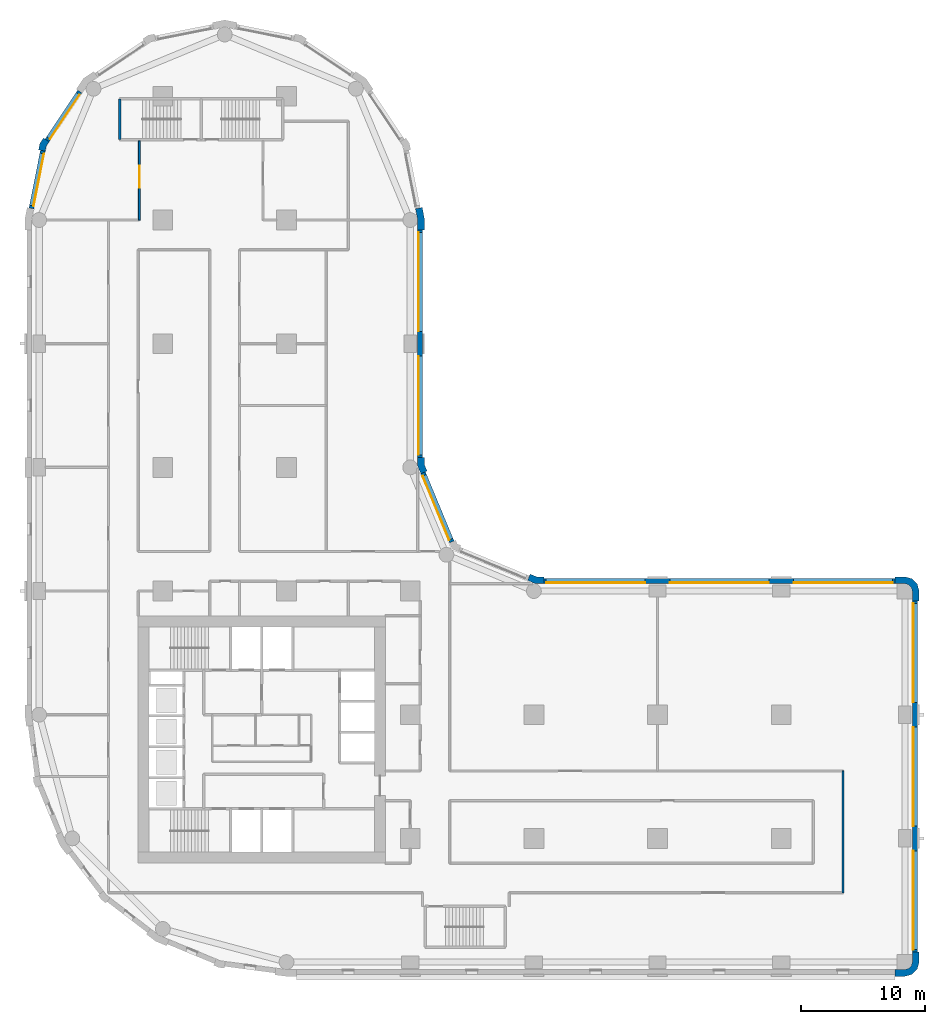
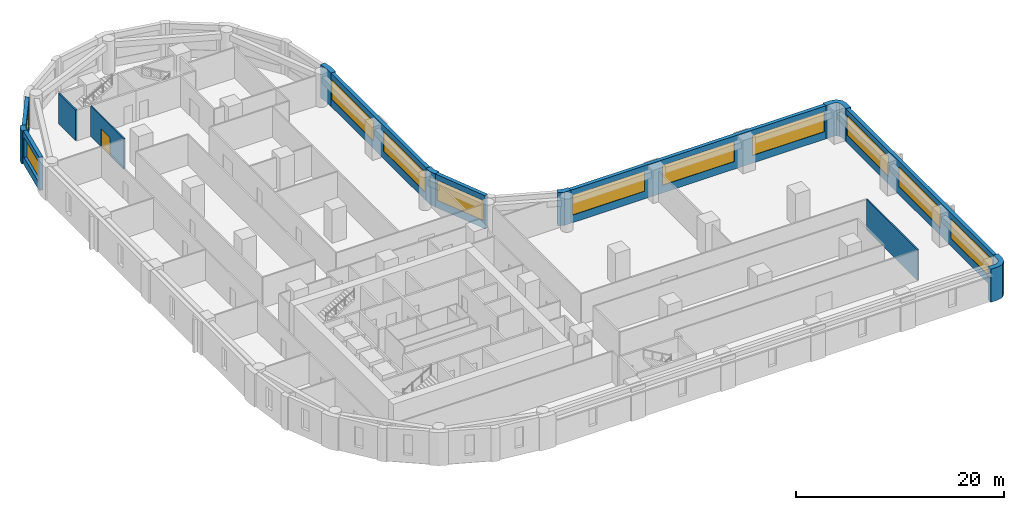
# One storey, part 6 of 10: 15 walls, 11 windows, 1 door, 12 openings.
"""IFC4 building model written with IfcOpenShell, lengths in metres."""

from ifc_helpers import new_model, si_unit, direction, frame, frame_2d, origin, place, context, subcontext, project, spatial, polyline, rectangle, outline, extrude, material, layer, layer_set, type_object, element, fill, save


model = new_model("IFC4")

# Units and contexts
model_context = context("Model", 3, precision=1e-05, world=origin(), true_north=direction((0.0, 1.0)))
body_context = subcontext(model_context, "Body", "Model", "MODEL_VIEW")
ifc_project = project(units=[si_unit("LENGTHUNIT", "METRE"), si_unit("AREAUNIT", "SQUARE_METRE"), si_unit("VOLUMEUNIT", "CUBIC_METRE"), si_unit("PLANEANGLEUNIT", "RADIAN"), si_unit("MASSUNIT", "GRAM", prefix="KILO")], contexts=[model_context])

# Site, building, storey
site_placement = place(None, origin())
site = spatial("IfcSite", under=ifc_project, at=site_placement, CompositionType="ELEMENT")
building_placement = place(site_placement, origin())
building = spatial("IfcBuilding", under=site, at=building_placement, Name="Qaws Garden Tower", CompositionType="ELEMENT")
storey_placement = place(building_placement, frame((0.0, 0.0, 66.60009765625)))
storey = spatial("IfcBuildingStorey", under=building, at=storey_placement, Name="L16", CompositionType="ELEMENT", Elevation=66.60009765625)

# Walls
ifc_material_1 = material(Name="Clay facing brick masonry", Category="masonry")
ifc_layer_1 = layer(ifc_material_1, 0.550048828125)
ifc_layer_set_1 = layer_set([ifc_layer_1], Name="Clay facing brick masonry")
wall_type_1 = type_object("IfcWallType", Name="Brick corner pier 550 x 2400", PredefinedType="SOLIDWALL", material=ifc_layer_set_1)
placement = place(storey_placement, origin())
element("IfcWall", 1, at=placement, inside=storey, type_object=wall_type_1, Name="E-L16-pier-05", PredefinedType="SOLIDWALL", context=body_context, shape_type="SweptSolid", body=[
    extrude(outline(polyline([(69.199951171875, -1.0), (69.199951171875, -1.14990234375), (70.0, -1.14990234375), (70.574951171875, -0.995849609375), (70.995849609375, -0.574951171875), (71.14990234375, 0.0), (71.14990234375, 0.800048828125), (71.0, 0.800048828125), (70.60009765625, 0.800048828125), (70.60009765625, 0.0), (70.51953125, -0.300048828125), (70.300048828125, -0.51953125), (70.0, -0.60009765625), (69.199951171875, -0.60009765625), (69.199951171875, -1.0)])), origin(), (0.0, 0.0, 1.0), 3.89990234375),
])
element("IfcWall", 2, at=placement, inside=storey, type_object=wall_type_1, Name="E-L16-pier-08", PredefinedType="SOLIDWALL", context=body_context, shape_type="SweptSolid", body=[
    extrude(outline(polyline([(71.0, 29.199951171875), (71.14990234375, 29.199951171875), (71.14990234375, 30.0), (70.995849609375, 30.574951171875), (70.574951171875, 30.995849609375), (70.0, 31.14990234375), (69.199951171875, 31.14990234375), (69.199951171875, 31.0), (69.199951171875, 30.60009765625), (70.0, 30.60009765625), (70.300048828125, 30.51953125), (70.51953125, 30.300048828125), (70.60009765625, 30.0), (70.60009765625, 29.199951171875), (71.0, 29.199951171875)])), origin(), (0.0, 0.0, 1.0), 3.89990234375),
])

# Wall, openings, windows
ifc_material_2 = material(Name="Clay facing brick masonry", Category="masonry")
ifc_layer_2 = layer(ifc_material_2, 0.39990234375)
ifc_layer_set_2 = layer_set([ifc_layer_2], Name="Clay facing brick masonry")
wall_type_2 = type_object("IfcWallType", Name="Brick infill wall 400", PredefinedType="SOLIDWALL", material=ifc_layer_set_2)
wall_3_placement = place(storey_placement, frame((70.800048828125, 0.800048828125, 0.0), z_axis=(0.0, 0.0, 1.0), x_axis=(0.0, 1.0, 0.0)))
wall_3 = element("IfcWall", 3, at=wall_3_placement, inside=storey, type_object=wall_type_2, Name="E-L16-infill-05", PredefinedType="SOLIDWALL", context=body_context, shape_type="SweptSolid", body=[
    extrude(rectangle(XDim=28.39990234375, YDim=0.39990234375, at=frame_2d((14.199951171875, 0.0))), origin(), (0.0, 0.0, 1.0), 3.89990234375),
])
opening_1_placement = place(wall_3_placement, frame((0.199951171875, 0.0, 0.89990234375)))
opening_1 = element("IfcOpeningElement", 4, at=opening_1_placement, cuts=wall_3, Name="Opening W01", PredefinedType="OPENING", context=body_context, shape_type="SweptSolid", body=[
    extrude(rectangle(XDim=8.0, YDim=2.35009765625, at=frame_2d((4.0, 1.175048828125))), frame((0.0, 0.2099609375, 0.0), z_axis=(0.0, -1.0, 0.0), x_axis=(1.0, 0.0, 0.0)), (0.0, 0.0, 1.0), 0.419921875),
])
opening_2_placement = place(wall_3_placement, frame((10.199951171875, 0.0, 0.89990234375)))
opening_2 = element("IfcOpeningElement", 5, at=opening_2_placement, cuts=wall_3, Name="Opening W01", PredefinedType="OPENING", context=body_context, shape_type="SweptSolid", body=[
    extrude(rectangle(XDim=8.0, YDim=2.35009765625, at=frame_2d((4.0, 1.175048828125))), frame((0.0, 0.2099609375, 0.0), z_axis=(0.0, -1.0, 0.0), x_axis=(1.0, 0.0, 0.0)), (0.0, 0.0, 1.0), 0.419921875),
])
opening_3_placement = place(wall_3_placement, frame((20.199951171875, 0.0, 0.89990234375)))
opening_3 = element("IfcOpeningElement", 6, at=opening_3_placement, cuts=wall_3, Name="Opening W01", PredefinedType="OPENING", context=body_context, shape_type="SweptSolid", body=[
    extrude(rectangle(XDim=8.0, YDim=2.35009765625, at=frame_2d((4.0, 1.175048828125))), frame((0.0, 0.2099609375, 0.0), z_axis=(0.0, -1.0, 0.0), x_axis=(1.0, 0.0, 0.0)), (0.0, 0.0, 1.0), 0.419921875),
])
ifc_material_3 = material(Name="Aluminium framed window, clear glazing", Category="aluminium")
window_type_1 = type_object("IfcWindowType", Name="Ribbon window 8000 x 2350", PartitioningType="DOUBLE_PANEL_VERTICAL", PredefinedType="WINDOW", material=ifc_material_3)
window_1_placement = place(opening_1_placement, origin())
window_1 = element("IfcWindow", 7, at=window_1_placement, inside=storey, type_object=window_type_1, Name="E-L16-window-05-0", OverallHeight=2.35009765625, OverallWidth=8.0, PartitioningType="SINGLE_PANEL", PredefinedType="WINDOW", context=body_context, shape_type="SweptSolid", body=[
    extrude(rectangle(XDim=8.0, YDim=2.35009765625, at=frame_2d((4.0, 1.175048828125))), frame((0.0, 0.159912109375, 0.0), z_axis=(0.0, -1.0, 0.0), x_axis=(1.0, 0.0, 0.0)), (0.0, 0.0, 1.0), 0.06005859375),
])
fill(opening_1, window_1)
window_2_placement = place(opening_2_placement, origin())
window_2 = element("IfcWindow", 8, at=window_2_placement, inside=storey, type_object=window_type_1, Name="E-L16-window-06-0", OverallHeight=2.35009765625, OverallWidth=8.0, PartitioningType="SINGLE_PANEL", PredefinedType="WINDOW", context=body_context, shape_type="SweptSolid", body=[
    extrude(rectangle(XDim=8.0, YDim=2.35009765625, at=frame_2d((4.0, 1.175048828125))), frame((0.0, 0.159912109375, 0.0), z_axis=(0.0, -1.0, 0.0), x_axis=(1.0, 0.0, 0.0)), (0.0, 0.0, 1.0), 0.06005859375),
])
fill(opening_2, window_2)
window_3_placement = place(opening_3_placement, origin())
window_3 = element("IfcWindow", 9, at=window_3_placement, inside=storey, type_object=window_type_1, Name="E-L16-window-07-0", OverallHeight=2.35009765625, OverallWidth=8.0, PartitioningType="SINGLE_PANEL", PredefinedType="WINDOW", context=body_context, shape_type="SweptSolid", body=[
    extrude(rectangle(XDim=8.0, YDim=2.35009765625, at=frame_2d((4.0, 1.175048828125))), frame((0.0, 0.159912109375, 0.0), z_axis=(0.0, -1.0, 0.0), x_axis=(1.0, 0.0, 0.0)), (0.0, 0.0, 1.0), 0.06005859375),
])
fill(opening_3, window_3)

wall_4_placement = place(storey_placement, frame((69.199951171875, 30.800048828125, 0.0), z_axis=(0.0, 0.0, 1.0), x_axis=(-1.0, 0.0, 0.0)))
wall_4 = element("IfcWall", 10, at=wall_4_placement, inside=storey, type_object=wall_type_2, Name="E-L16-infill-08", PredefinedType="SOLIDWALL", context=body_context, shape_type="SweptSolid", body=[
    extrude(rectangle(XDim=28.39990234375, YDim=0.39990234375, at=frame_2d((14.199951171875, 0.0))), origin(), (0.0, 0.0, 1.0), 3.89990234375),
])
opening_4_placement = place(wall_4_placement, frame((0.199951171875, 0.0, 0.89990234375)))
opening_4 = element("IfcOpeningElement", 11, at=opening_4_placement, cuts=wall_4, Name="Opening W01", PredefinedType="OPENING", context=body_context, shape_type="SweptSolid", body=[
    extrude(rectangle(XDim=8.0, YDim=2.35009765625, at=frame_2d((4.0, 1.175048828125))), frame((0.0, 0.2099609375, 0.0), z_axis=(0.0, -1.0, 0.0), x_axis=(1.0, 0.0, 0.0)), (0.0, 0.0, 1.0), 0.419921875),
])
opening_5_placement = place(wall_4_placement, frame((10.199951171875, 0.0, 0.89990234375)))
opening_5 = element("IfcOpeningElement", 12, at=opening_5_placement, cuts=wall_4, Name="Opening W01", PredefinedType="OPENING", context=body_context, shape_type="SweptSolid", body=[
    extrude(rectangle(XDim=8.0, YDim=2.35009765625, at=frame_2d((4.0, 1.175048828125))), frame((0.0, 0.2099609375, 0.0), z_axis=(0.0, -1.0, 0.0), x_axis=(1.0, 0.0, 0.0)), (0.0, 0.0, 1.0), 0.419921875),
])
opening_6_placement = place(wall_4_placement, frame((20.199951171875, 0.0, 0.89990234375)))
opening_6 = element("IfcOpeningElement", 13, at=opening_6_placement, cuts=wall_4, Name="Opening W01", PredefinedType="OPENING", context=body_context, shape_type="SweptSolid", body=[
    extrude(rectangle(XDim=8.0, YDim=2.35009765625, at=frame_2d((4.0, 1.175048828125))), frame((0.0, 0.2099609375, 0.0), z_axis=(0.0, -1.0, 0.0), x_axis=(1.0, 0.0, 0.0)), (0.0, 0.0, 1.0), 0.419921875),
])
window_4_placement = place(opening_4_placement, origin())
window_4 = element("IfcWindow", 14, at=window_4_placement, inside=storey, type_object=window_type_1, Name="E-L16-window-08-0", OverallHeight=2.35009765625, OverallWidth=8.0, PartitioningType="SINGLE_PANEL", PredefinedType="WINDOW", context=body_context, shape_type="SweptSolid", body=[
    extrude(rectangle(XDim=8.0, YDim=2.35009765625, at=frame_2d((4.0, 1.175048828125))), frame((0.0, 0.159912109375, 0.0), z_axis=(0.0, -1.0, 0.0), x_axis=(1.0, 0.0, 0.0)), (0.0, 0.0, 1.0), 0.06005859375),
])
fill(opening_4, window_4)
window_5_placement = place(opening_5_placement, origin())
window_5 = element("IfcWindow", 15, at=window_5_placement, inside=storey, type_object=window_type_1, Name="E-L16-window-09-0", OverallHeight=2.35009765625, OverallWidth=8.0, PartitioningType="SINGLE_PANEL", PredefinedType="WINDOW", context=body_context, shape_type="SweptSolid", body=[
    extrude(rectangle(XDim=8.0, YDim=2.35009765625, at=frame_2d((4.0, 1.175048828125))), frame((0.0, 0.159912109375, 0.0), z_axis=(0.0, -1.0, 0.0), x_axis=(1.0, 0.0, 0.0)), (0.0, 0.0, 1.0), 0.06005859375),
])
fill(opening_5, window_5)
window_6_placement = place(opening_6_placement, origin())
window_6 = element("IfcWindow", 16, at=window_6_placement, inside=storey, type_object=window_type_1, Name="E-L16-window-10-0", OverallHeight=2.35009765625, OverallWidth=8.0, PartitioningType="SINGLE_PANEL", PredefinedType="WINDOW", context=body_context, shape_type="SweptSolid", body=[
    extrude(rectangle(XDim=8.0, YDim=2.35009765625, at=frame_2d((4.0, 1.175048828125))), frame((0.0, 0.159912109375, 0.0), z_axis=(0.0, -1.0, 0.0), x_axis=(1.0, 0.0, 0.0)), (0.0, 0.0, 1.0), 0.06005859375),
])
fill(opening_6, window_6)

# Wall, opening, window
wall_5_placement = place(storey_placement, frame((33.36181640625, 33.97412109375, 0.0), z_axis=(0.0, 0.0, 1.0), x_axis=(-0.382655745237, 0.923891000409, 0.0)))
wall_5 = element("IfcWall", 17, at=wall_5_placement, inside=storey, type_object=wall_type_2, Name="E-L16-infill-12", PredefinedType="SOLIDWALL", context=body_context, shape_type="SweptSolid", body=[
    extrude(rectangle(XDim=6.053466796875, YDim=0.39990234375, at=frame_2d((3.02685546875, 0.0))), origin(), (0.0, 0.0, 1.0), 3.89990234375),
])
opening_7_placement = place(wall_5_placement, frame((0.226806640625, 0.0, 0.89990234375)))
opening_7 = element("IfcOpeningElement", 18, at=opening_7_placement, cuts=wall_5, Name="Opening W04", PredefinedType="OPENING", context=body_context, shape_type="SweptSolid", body=[
    extrude(rectangle(XDim=5.60009765625, YDim=2.35009765625, at=frame_2d((2.800048828125, 1.175048828125))), frame((0.0, 0.2099609375, 0.0), z_axis=(0.0, -1.0, 0.0), x_axis=(1.0, 0.0, 0.0)), (0.0, 0.0, 1.0), 0.419921875),
])
ifc_material_4 = material(Name="Aluminium framed window, clear glazing", Category="aluminium")
window_type_2 = type_object("IfcWindowType", Name="Ribbon window 5600 x 2350", PartitioningType="DOUBLE_PANEL_VERTICAL", PredefinedType="WINDOW", material=ifc_material_4)
window_7_placement = place(opening_7_placement, origin())
window_7 = element("IfcWindow", 19, at=window_7_placement, inside=storey, type_object=window_type_2, Name="E-L16-window-12-0", OverallHeight=2.35009765625, OverallWidth=5.60009765625, PartitioningType="SINGLE_PANEL", PredefinedType="WINDOW", context=body_context, shape_type="SweptSolid", body=[
    extrude(rectangle(XDim=5.60009765625, YDim=2.35009765625, at=frame_2d((2.800048828125, 1.175048828125))), frame((0.0, 0.159912109375, 0.0), z_axis=(0.0, -1.0, 0.0), x_axis=(1.0, 0.0, 0.0)), (0.0, 0.0, 1.0), 0.06005859375),
])
fill(opening_7, window_7)

# Wall, openings, windows
wall_6_placement = place(storey_placement, frame((30.800048828125, 40.800048828125, 0.0), z_axis=(0.0, 0.0, 1.0), x_axis=(0.0, 1.0, 0.0)))
wall_6 = element("IfcWall", 20, at=wall_6_placement, inside=storey, type_object=wall_type_2, Name="E-L16-infill-13", PredefinedType="SOLIDWALL", context=body_context, shape_type="SweptSolid", body=[
    extrude(rectangle(XDim=18.39990234375, YDim=0.39990234375, at=frame_2d((9.199951171875, 0.0))), origin(), (0.0, 0.0, 1.0), 3.89990234375),
])
opening_8_placement = place(wall_6_placement, frame((0.199951171875, 0.0, 0.89990234375)))
opening_8 = element("IfcOpeningElement", 21, at=opening_8_placement, cuts=wall_6, Name="Opening W01", PredefinedType="OPENING", context=body_context, shape_type="SweptSolid", body=[
    extrude(rectangle(XDim=8.0, YDim=2.35009765625, at=frame_2d((4.0, 1.175048828125))), frame((0.0, 0.2099609375, 0.0), z_axis=(0.0, -1.0, 0.0), x_axis=(1.0, 0.0, 0.0)), (0.0, 0.0, 1.0), 0.419921875),
])
opening_9_placement = place(wall_6_placement, frame((10.199951171875, 0.0, 0.89990234375)))
opening_9 = element("IfcOpeningElement", 22, at=opening_9_placement, cuts=wall_6, Name="Opening W01", PredefinedType="OPENING", context=body_context, shape_type="SweptSolid", body=[
    extrude(rectangle(XDim=8.0, YDim=2.35009765625, at=frame_2d((4.0, 1.175048828125))), frame((0.0, 0.2099609375, 0.0), z_axis=(0.0, -1.0, 0.0), x_axis=(1.0, 0.0, 0.0)), (0.0, 0.0, 1.0), 0.419921875),
])
window_8_placement = place(opening_8_placement, origin())
window_8 = element("IfcWindow", 23, at=window_8_placement, inside=storey, type_object=window_type_1, Name="E-L16-window-13-0", OverallHeight=2.35009765625, OverallWidth=8.0, PartitioningType="SINGLE_PANEL", PredefinedType="WINDOW", context=body_context, shape_type="SweptSolid", body=[
    extrude(rectangle(XDim=8.0, YDim=2.35009765625, at=frame_2d((4.0, 1.175048828125))), frame((0.0, 0.159912109375, 0.0), z_axis=(0.0, -1.0, 0.0), x_axis=(1.0, 0.0, 0.0)), (0.0, 0.0, 1.0), 0.06005859375),
])
fill(opening_8, window_8)
window_9_placement = place(opening_9_placement, origin())
window_9 = element("IfcWindow", 24, at=window_9_placement, inside=storey, type_object=window_type_1, Name="E-L16-window-14-0", OverallHeight=2.35009765625, OverallWidth=8.0, PartitioningType="SINGLE_PANEL", PredefinedType="WINDOW", context=body_context, shape_type="SweptSolid", body=[
    extrude(rectangle(XDim=8.0, YDim=2.35009765625, at=frame_2d((4.0, 1.175048828125))), frame((0.0, 0.159912109375, 0.0), z_axis=(0.0, -1.0, 0.0), x_axis=(1.0, 0.0, 0.0)), (0.0, 0.0, 1.0), 0.06005859375),
])
fill(opening_9, window_9)

# Wall, opening, window
wall_7_placement = place(storey_placement, frame((3.28369140625, 70.385986328125, 0.0), z_axis=(0.0, 0.0, 1.0), x_axis=(-0.555541552266, -0.831488775454, 0.0)))
wall_7 = element("IfcWall", 25, at=wall_7_placement, inside=storey, type_object=wall_type_2, Name="E-L16-infill-21", PredefinedType="SOLIDWALL", context=body_context, shape_type="SweptSolid", body=[
    extrude(rectangle(XDim=4.752685546875, YDim=0.39990234375, at=frame_2d((2.37646484375, 0.0))), origin(), (0.0, 0.0, 1.0), 3.89990234375),
])
opening_10_placement = place(wall_7_placement, frame((0.226318359375, 0.0, 0.89990234375)))
opening_10 = element("IfcOpeningElement", 26, at=opening_10_placement, cuts=wall_7, Name="Opening W06", PredefinedType="OPENING", context=body_context, shape_type="SweptSolid", body=[
    extrude(rectangle(XDim=4.300048828125, YDim=2.35009765625, at=frame_2d((2.14990234375, 1.175048828125))), frame((0.0, 0.2099609375, 0.0), z_axis=(0.0, -1.0, 0.0), x_axis=(1.0, 0.0, 0.0)), (0.0, 0.0, 1.0), 0.419921875),
])
ifc_material_5 = material(Name="Aluminium framed window, clear glazing", Category="aluminium")
window_type_3 = type_object("IfcWindowType", Name="Ribbon window 4300 x 2350", PartitioningType="DOUBLE_PANEL_VERTICAL", PredefinedType="WINDOW", material=ifc_material_5)
window_10_placement = place(opening_10_placement, origin())
window_10 = element("IfcWindow", 27, at=window_10_placement, inside=storey, type_object=window_type_3, Name="E-L16-window-21-0", OverallHeight=2.35009765625, OverallWidth=4.300048828125, PartitioningType="SINGLE_PANEL", PredefinedType="WINDOW", context=body_context, shape_type="SweptSolid", body=[
    extrude(rectangle(XDim=4.300048828125, YDim=2.35009765625, at=frame_2d((2.14990234375, 1.175048828125))), frame((0.0, 0.159912109375, 0.0), z_axis=(0.0, -1.0, 0.0), x_axis=(1.0, 0.0, 0.0)), (0.0, 0.0, 1.0), 0.06005859375),
])
fill(opening_10, window_10)

wall_8_placement = place(storey_placement, frame((0.298583984375, 65.60205078125, 0.0), z_axis=(0.0, 0.0, 1.0), x_axis=(-0.195098533057, -0.98078364709, 0.0)))
wall_8 = element("IfcWall", 28, at=wall_8_placement, inside=storey, type_object=wall_type_2, Name="E-L16-infill-22", PredefinedType="SOLIDWALL", context=body_context, shape_type="SweptSolid", body=[
    extrude(rectangle(XDim=4.752685546875, YDim=0.39990234375, at=frame_2d((2.37646484375, 0.0))), origin(), (0.0, 0.0, 1.0), 3.89990234375),
])
opening_11_placement = place(wall_8_placement, frame((0.226318359375, 0.0, 0.89990234375)))
opening_11 = element("IfcOpeningElement", 29, at=opening_11_placement, cuts=wall_8, Name="Opening W06", PredefinedType="OPENING", context=body_context, shape_type="SweptSolid", body=[
    extrude(rectangle(XDim=4.300048828125, YDim=2.35009765625, at=frame_2d((2.14990234375, 1.175048828125))), frame((0.0, 0.2099609375, 0.0), z_axis=(0.0, -1.0, 0.0), x_axis=(1.0, 0.0, 0.0)), (0.0, 0.0, 1.0), 0.419921875),
])
window_11_placement = place(opening_11_placement, origin())
window_11 = element("IfcWindow", 30, at=window_11_placement, inside=storey, type_object=window_type_3, Name="E-L16-window-22-0", OverallHeight=2.35009765625, OverallWidth=4.300048828125, PartitioningType="SINGLE_PANEL", PredefinedType="WINDOW", context=body_context, shape_type="SweptSolid", body=[
    extrude(rectangle(XDim=4.300048828125, YDim=2.35009765625, at=frame_2d((2.14990234375, 1.175048828125))), frame((0.0, 0.159912109375, 0.0), z_axis=(0.0, -1.0, 0.0), x_axis=(1.0, 0.0, 0.0)), (0.0, 0.0, 1.0), 0.06005859375),
])
fill(opening_11, window_11)

# Walls
ifc_material_6 = material(Name="Clay facing brick masonry", Category="masonry")
ifc_layer_3 = layer(ifc_material_6, 0.550048828125)
ifc_layer_set_3 = layer_set([ifc_layer_3], Name="Clay facing brick masonry")
wall_type_3 = type_object("IfcWallType", Name="Brick kink pier 550 x 600", PredefinedType="SOLIDWALL", material=ifc_layer_set_3)
element("IfcWall", 31, at=placement, inside=storey, type_object=wall_type_3, Name="E-L16-pier-22", PredefinedType="SOLIDWALL", context=body_context, shape_type="SweptSolid", body=[
    extrude(outline(polyline([(0.47705078125, 66.545166015625), (0.352294921875, 66.628662109375), (0.05859375, 66.18896484375), (-0.044677734375, 65.67041015625), (0.1025390625, 65.64111328125), (0.494873046875, 65.56298828125), (0.57666015625, 65.974365234375), (0.8095703125, 66.322998046875), (0.47705078125, 66.545166015625)])), origin(), (0.0, 0.0, 1.0), 3.89990234375),
])
ifc_material_7 = material(Name="Clay facing brick masonry", Category="masonry")
ifc_layer_4 = layer(ifc_material_7, 0.550048828125)
ifc_layer_set_4 = layer_set([ifc_layer_4], Name="Clay facing brick masonry")
wall_type_4 = type_object("IfcWallType", Name="Brick pier 550 x 1600", PredefinedType="SOLIDWALL", material=ifc_layer_set_4)
element("IfcWall", 32, at=placement, inside=storey, type_object=wall_type_4, Name="E-L16-pier-11", PredefinedType="SOLIDWALL", context=body_context, shape_type="SweptSolid", body=[
    extrude(outline(polyline([(40.800048828125, 31.0), (40.800048828125, 31.14990234375), (40.228759765625, 31.14990234375), (39.700927734375, 31.36865234375), (39.6435546875, 31.22998046875), (39.490478515625, 30.860595703125), (40.119384765625, 30.60009765625), (40.800048828125, 30.60009765625), (40.800048828125, 31.0)])), origin(), (0.0, 0.0, 1.0), 3.89990234375),
])
element("IfcWall", 33, at=placement, inside=storey, type_object=wall_type_4, Name="E-L16-pier-13", PredefinedType="SOLIDWALL", context=body_context, shape_type="SweptSolid", body=[
    extrude(outline(polyline([(31.22998046875, 39.6435546875), (31.36865234375, 39.700927734375), (31.14990234375, 40.228759765625), (31.14990234375, 40.800048828125), (31.0, 40.800048828125), (30.60009765625, 40.800048828125), (30.60009765625, 40.119384765625), (30.860595703125, 39.490478515625), (31.22998046875, 39.6435546875)])), origin(), (0.0, 0.0, 1.0), 3.89990234375),
])
element("IfcWall", 34, at=placement, inside=storey, type_object=wall_type_4, Name="E-L16-pier-15", PredefinedType="SOLIDWALL", context=body_context, shape_type="SweptSolid", body=[
    extrude(outline(polyline([(31.0, 59.199951171875), (31.14990234375, 59.199951171875), (31.14990234375, 60.11328125), (30.971923828125, 61.009033203125), (30.82470703125, 60.979736328125), (30.432373046875, 60.901611328125), (30.60009765625, 60.05908203125), (30.60009765625, 59.199951171875), (31.0, 59.199951171875)])), origin(), (0.0, 0.0, 1.0), 3.89990234375),
])
ifc_material_8 = material(Name="Concrete C80", Category="concrete")
ifc_layer_5 = layer(ifc_material_8, 0.199951171875)
ifc_layer_set_5 = layer_set([ifc_layer_5], Name="Concrete C80")
wall_type_5 = type_object("IfcWallType", Name="Core shaft wall 200 C80", PredefinedType="SHEAR", material=ifc_layer_set_5)
wall_13_placement = place(storey_placement, frame((6.5, 66.5, 0.0), z_axis=(0.0, 0.0, 1.0), x_axis=(0.0, 1.0, 0.0)))
element("IfcWall", 35, at=wall_13_placement, inside=storey, type_object=wall_type_5, Name="Shaft wall", PredefinedType="SHEAR", context=body_context, shape_type="SweptSolid", body=[
    extrude(rectangle(XDim=3.300048828125, YDim=0.199951171875, at=frame_2d((1.64990234375, 0.0))), origin(), (0.0, 0.0, 1.0), 3.579833984375),
])

# Wall, opening, door
ifc_material_9 = material(Name="Gypsum board partition")
ifc_layer_6 = layer(ifc_material_9, 0.14990234375)
ifc_layer_set_6 = layer_set([ifc_layer_6], Name="Gypsum board partition")
wall_type_6 = type_object("IfcWallType", Name="PARTITION 150 EI 60", PredefinedType="PARTITIONING", material=ifc_layer_set_6)
wall_14_placement = place(storey_placement, frame((8.10009765625, 60.0, 0.0), z_axis=(0.0, 0.0, 1.0), x_axis=(0.0, 1.0, 0.0)))
wall_14 = element("IfcWall", 36, at=wall_14_placement, inside=storey, type_object=wall_type_6, Name="O-L16-wall-004", PredefinedType="PARTITIONING", context=body_context, shape_type="SweptSolid", body=[
    extrude(rectangle(XDim=6.39990234375, YDim=0.14990234375, at=frame_2d((3.199951171875, 0.0))), origin(), (0.0, 0.0, 1.0), 3.579833984375),
])
opening_12_placement = place(wall_14_placement, frame((2.60009765625, 0.0, 0.0)))
opening_12 = element("IfcOpeningElement", 37, at=opening_12_placement, cuts=wall_14, Name="Opening A514", PredefinedType="OPENING", context=body_context, shape_type="SweptSolid", body=[
    extrude(rectangle(XDim=1.800048828125, YDim=2.10009765625, at=frame_2d((0.89990234375, 1.050048828125))), frame((0.0, 0.0849609375, 0.0), z_axis=(0.0, -1.0, 0.0), x_axis=(1.0, 0.0, 0.0)), (0.0, 0.0, 1.0), 0.169921875),
])
ifc_material_10 = material(Name="Timber door leaf", Category="wood")
door_type = type_object("IfcDoorType", Name="DOUBLE DOOR 1800 X 2100", OperationType="DOUBLE_DOOR_SINGLE_SWING", PredefinedType="DOOR", material=ifc_material_10)
door_placement = place(opening_12_placement, origin())
door = element("IfcDoor", 38, at=door_placement, inside=storey, type_object=door_type, Name="O-L16-door-014", OperationType="DOUBLE_DOOR_SINGLE_SWING", OverallHeight=2.10009765625, OverallWidth=1.800048828125, PredefinedType="DOOR", context=body_context, shape_type="SweptSolid", body=[
    extrude(rectangle(XDim=1.800048828125, YDim=2.10009765625, at=frame_2d((0.89990234375, 1.050048828125))), frame((0.0, 0.02490234375, 0.0), z_axis=(0.0, -1.0, 0.0), x_axis=(1.0, 0.0, 0.0)), (0.0, 0.0, 1.0), 0.050048828125),
])
fill(opening_12, door)

# Wall
wall_15_placement = place(storey_placement, frame((65.0, 5.60009765625, 0.0), z_axis=(0.0, 0.0, 1.0), x_axis=(0.0, 1.0, 0.0)))
element("IfcWall", 39, at=wall_15_placement, inside=storey, type_object=wall_type_6, Name="O-L16-wall-025", PredefinedType="PARTITIONING", context=body_context, shape_type="SweptSolid", body=[
    extrude(rectangle(XDim=9.849853515625, YDim=0.14990234375, at=frame_2d((4.9248046875, 0.0))), origin(), (0.0, 0.0, 1.0), 3.579833984375),
])

save(model, "model.ifc")
